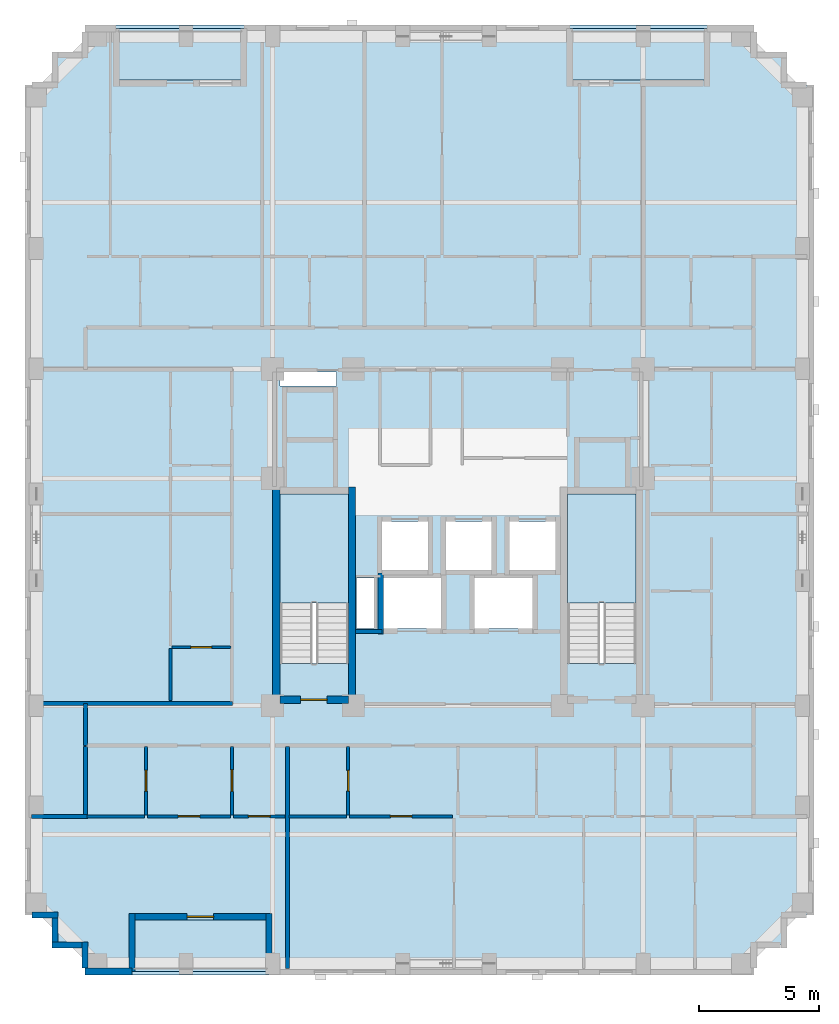
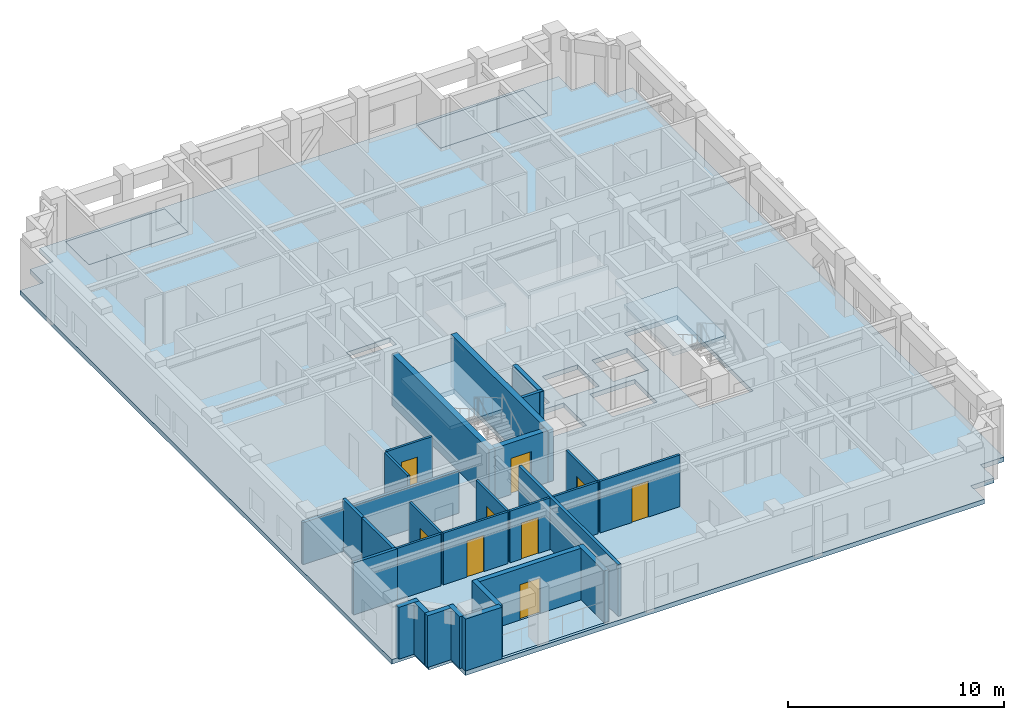
# One storey, part 2 of 11: 28 walls, 9 doors, 6 slabs, 9 openings, 2 elements without a shape of their own.
"""IFC4 building model written with IfcOpenShell, lengths in metres."""

from ifc_helpers import new_model, si_unit, derived_unit, direction, frame, frame_2d, origin, place, context, subcontext, project, spatial, polyline, rectangle, outline, extrude, material, layer, layer_set, type_object, element, fill, aggregate, save


model = new_model("IFC4")

# Units and contexts
model_context = context("Model", 3, precision=1e-05, world=origin(), true_north=direction((0.0, 1.0)))
body_context = subcontext(model_context, "Body", "Model", "MODEL_VIEW")
ifc_project = project(units=[si_unit("LENGTHUNIT", "METRE"), si_unit("AREAUNIT", "SQUARE_METRE"), si_unit("VOLUMEUNIT", "CUBIC_METRE"), si_unit("PLANEANGLEUNIT", "RADIAN"), si_unit("MASSUNIT", "GRAM", prefix="KILO"), derived_unit("THERMALTRANSMITTANCEUNIT", [(si_unit("MASSUNIT", "GRAM", prefix="KILO"), 1), (si_unit("TIMEUNIT", "SECOND"), -3), (si_unit("THERMODYNAMICTEMPERATUREUNIT", "KELVIN"), -1)])], contexts=[model_context])

# Site, building, storey
site_placement = place(None, origin())
site = spatial("IfcSite", under=ifc_project, at=site_placement, CompositionType="ELEMENT")
building_placement = place(site_placement, origin())
building = spatial("IfcBuilding", under=site, at=building_placement, Name="Korrvale Station Residences", CompositionType="ELEMENT")
storey_placement = place(building_placement, frame((0.0, 0.0, 166.64990234375)))
storey = spatial("IfcBuildingStorey", under=building, at=storey_placement, Name="L48", CompositionType="ELEMENT", Elevation=166.64990234375)

# Slabs
ifc_material_1 = material(Name="Concrete C50/60", Category="concrete")
ifc_layer_1 = layer(ifc_material_1, 0.219970703125, Name="Concrete C50/60")
ifc_layer_set_1 = layer_set([ifc_layer_1], Name="Concrete C50/60")
slab_type_1 = type_object("IfcSlabType", Name="SLB-BAL-220", PredefinedType="FLOOR", material=ifc_layer_set_1)
slab_1_placement = place(storey_placement, frame((0.0, 0.0, -0.219970703125)))
element("IfcSlab", 1, at=slab_1_placement, inside=storey, type_object=slab_type_1, Name="L48 Recessed Loggia Balcony Slab BAL-L48-S1", PredefinedType="FLOOR", context=body_context, shape_type="SweptSolid", body=[
    extrude(outline(polyline([(11.949951171875, 3.949951171875), (17.64990234375, 3.949951171875), (17.64990234375, 6.10009765625), (11.949951171875, 6.10009765625), (11.949951171875, 3.949951171875)])), origin(), (0.0, 0.0, 1.0), 0.219970703125),
])
slab_2_placement = place(storey_placement, frame((0.0, 0.0, -0.219970703125)))
element("IfcSlab", 2, at=slab_2_placement, inside=storey, type_object=slab_type_1, Name="L48 Recessed Loggia Balcony Slab BAL-L48-N1", PredefinedType="FLOOR", context=body_context, shape_type="SweptSolid", body=[
    extrude(outline(polyline([(30.14990234375, 41.0), (35.85009765625, 41.0), (35.85009765625, 43.14990234375), (30.14990234375, 43.14990234375), (30.14990234375, 41.0)])), origin(), (0.0, 0.0, 1.0), 0.219970703125),
])
slab_3_placement = place(storey_placement, frame((0.0, 0.0, -0.219970703125)))
element("IfcSlab", 3, at=slab_3_placement, inside=storey, type_object=slab_type_1, Name="L48 Recessed Loggia Balcony Slab BAL-L48-N2", PredefinedType="FLOOR", context=body_context, shape_type="SweptSolid", body=[
    extrude(outline(polyline([(11.300048828125, 41.0), (16.60009765625, 41.0), (16.60009765625, 43.14990234375), (11.300048828125, 43.14990234375), (11.300048828125, 41.0)])), origin(), (0.0, 0.0, 1.0), 0.219970703125),
])
ifc_layer_2 = layer(ifc_material_1, 0.260009765625, Name="Concrete C50/60")
ifc_layer_set_2 = layer_set([ifc_layer_2], Name="Concrete C50/60")
slab_type_2 = type_object("IfcSlabType", Name="SLB-FLR-260", PredefinedType="FLOOR", material=ifc_layer_set_2)
slab_4_placement = place(storey_placement, frame((0.0, 0.0, -0.260009765625)))
element("IfcSlab", 4, at=slab_4_placement, inside=storey, type_object=slab_type_2, Name="L48 Suspended Structural Floor Slab", PredefinedType="FLOOR", context=body_context, shape_type="SweptSolid", body=[
    extrude(outline(polyline([(10.0, 3.800048828125), (37.800048828125, 3.800048828125), (37.800048828125, 5.050048828125), (39.050048828125, 5.050048828125), (39.050048828125, 6.300048828125), (40.300048828125, 6.300048828125), (40.300048828125, 40.800048828125), (39.050048828125, 40.800048828125), (39.050048828125, 42.050048828125), (37.800048828125, 42.050048828125), (37.800048828125, 43.300048828125), (10.0, 43.300048828125), (10.0, 42.050048828125), (8.75, 42.050048828125), (8.75, 40.800048828125), (7.5, 40.800048828125), (7.5, 6.300048828125), (8.75, 6.300048828125), (8.75, 5.050048828125), (10.0, 5.050048828125), (10.0, 3.800048828125)]), holes=[polyline([(20.949951171875, 16.751953125), (20.949951171875, 23.800048828125), (18.10009765625, 23.800048828125), (18.10009765625, 16.751953125), (20.949951171875, 16.751953125)]), polyline([(32.89990234375, 16.751953125), (32.89990234375, 23.800048828125), (30.050048828125, 23.800048828125), (30.050048828125, 16.751953125), (32.89990234375, 16.751953125)]), polyline([(22.35009765625, 20.64990234375), (24.25, 20.64990234375), (24.25, 22.64990234375), (22.35009765625, 22.64990234375), (22.35009765625, 20.64990234375)]), polyline([(25.0, 20.64990234375), (26.89990234375, 20.64990234375), (26.89990234375, 22.64990234375), (25.0, 22.64990234375), (25.0, 20.64990234375)]), polyline([(27.64990234375, 20.64990234375), (29.550048828125, 20.64990234375), (29.550048828125, 22.64990234375), (27.64990234375, 22.64990234375), (27.64990234375, 20.64990234375)]), polyline([(22.39990234375, 18.199951171875), (24.800048828125, 18.199951171875), (24.800048828125, 20.300048828125), (22.39990234375, 20.300048828125), (22.39990234375, 18.199951171875)]), polyline([(26.199951171875, 18.199951171875), (28.60009765625, 18.199951171875), (28.60009765625, 20.300048828125), (26.199951171875, 20.300048828125), (26.199951171875, 18.199951171875)]), polyline([(18.10009765625, 28.280029296875), (20.449951171875, 28.280029296875), (20.449951171875, 28.8798828125), (18.10009765625, 28.8798828125), (18.10009765625, 28.280029296875)]), polyline([(21.280029296875, 18.199951171875), (22.02001953125, 18.199951171875), (22.02001953125, 20.300048828125), (21.280029296875, 20.300048828125), (21.280029296875, 18.199951171875)]), polyline([(11.949951171875, 3.949951171875), (17.64990234375, 3.949951171875), (17.64990234375, 6.10009765625), (11.949951171875, 6.10009765625), (11.949951171875, 3.949951171875)]), polyline([(30.14990234375, 41.0), (35.85009765625, 41.0), (35.85009765625, 43.14990234375), (30.14990234375, 43.14990234375), (30.14990234375, 41.0)]), polyline([(11.300048828125, 41.0), (16.60009765625, 41.0), (16.60009765625, 43.14990234375), (11.300048828125, 43.14990234375), (11.300048828125, 41.0)])]), origin(), (0.0, 0.0, 1.0), 0.260009765625),
])

# Stair, slab
stair_type = type_object("IfcStairType", Name="STR-DL-1350-20R-1625", PredefinedType="HALF_TURN_STAIR", material=ifc_material_1)
stair_1_placement = place(storey_placement, origin())
stair_1 = element("IfcStair", 5, at=stair_1_placement, inside=storey, type_object=stair_type, Name="L48 Exit Stair 1", PredefinedType="HALF_TURN_STAIR")
ifc_layer_3 = layer(ifc_material_1, 0.199951171875, Name="Concrete C50/60")
ifc_layer_set_3 = layer_set([ifc_layer_3], Name="Concrete C50/60")
slab_type_3 = type_object("IfcSlabType", Name="SLB-LND-200", PredefinedType="LANDING", material=ifc_layer_set_3)
slab_5_placement = place(storey_placement, frame((0.0, 0.0, 1.425048828125)))
slab_5 = element("IfcSlab", 6, at=slab_5_placement, type_object=slab_type_3, Name="ST-1 landing 1", PredefinedType="LANDING", context=body_context, shape_type="SweptSolid", body=[
    extrude(outline(polyline([(20.949951171875, 19.27001953125), (20.949951171875, 23.800048828125), (18.10009765625, 23.800048828125), (18.10009765625, 19.27001953125), (20.949951171875, 19.27001953125)])), origin(), (0.0, 0.0, 1.0), 0.199951171875),
])
aggregate(stair_1, [slab_5])

stair_2_placement = place(storey_placement, origin())
stair_2 = element("IfcStair", 7, at=stair_2_placement, inside=storey, type_object=stair_type, Name="L48 Exit Stair 2", PredefinedType="HALF_TURN_STAIR")
slab_6_placement = place(storey_placement, frame((0.0, 0.0, 1.425048828125)))
slab_6 = element("IfcSlab", 8, at=slab_6_placement, type_object=slab_type_3, Name="ST-2 landing 1", PredefinedType="LANDING", context=body_context, shape_type="SweptSolid", body=[
    extrude(outline(polyline([(32.89990234375, 19.27001953125), (32.89990234375, 23.800048828125), (30.050048828125, 23.800048828125), (30.050048828125, 19.27001953125), (32.89990234375, 19.27001953125)])), origin(), (0.0, 0.0, 1.0), 0.199951171875),
])
aggregate(stair_2, [slab_6])

# Walls
ifc_material_2 = material(Name="Concrete C60/75", Category="concrete")
ifc_layer_4 = layer(ifc_material_2, 0.300048828125, Name="Concrete C60/75")
ifc_layer_set_4 = layer_set([ifc_layer_4], Name="Concrete C60/75")
wall_type_1 = type_object("IfcWallType", Name="WAL-CORE-300-C60", PredefinedType="SHEAR", material=ifc_layer_set_4)
for number, where, z_axis, x_axis, name in (
    (9, (17.949951171875, 15.10009765625, 0.0), (0.0, 0.0, 1.0), (0.0, 1.0, 0.0), "L48 ST-1 Core Shear Wall West"),
    (10, (21.10009765625, 15.10009765625, 0.0), (0.0, 0.0, 1.0), (0.0, 1.0, 0.0), "L48 ST-1 Core Shear Wall East"),
):
    element("IfcWall", number, at=place(storey_placement, frame(where, z_axis=z_axis, x_axis=x_axis)), inside=storey, type_object=wall_type_1, Name=name, PredefinedType="SHEAR", context=body_context, shape_type="SweptSolid", body=[
        extrude(rectangle(XDim=9.0, YDim=0.300048828125, at=frame_2d((4.5, 0.0))), origin(), (0.0, 0.0, 1.0), 2.93017578125),
    ])

# Wall, opening, door
wall_1_placement = place(storey_placement, frame((18.10009765625, 15.25, 0.0), z_axis=(0.0, 0.0, 1.0), x_axis=(1.0, 0.0, 0.0)))
wall_1 = element("IfcWall", 11, at=wall_1_placement, inside=storey, type_object=wall_type_1, Name="L48 ST-1 Core Shear Wall South", PredefinedType="SHEAR", context=body_context, shape_type="SweptSolid", body=[
    extrude(rectangle(XDim=2.849853515625, YDim=0.300048828125, at=frame_2d((1.4248046875, 0.0))), origin(), (0.0, 0.0, 1.0), 2.93017578125),
])
opening_1_placement = place(wall_1_placement, frame((0.860107421875, 0.0, 0.0)))
opening_1 = element("IfcOpeningElement", 12, at=opening_1_placement, cuts=wall_1, Name="Opening SD-1100", PredefinedType="OPENING", context=body_context, shape_type="SweptSolid", body=[
    extrude(rectangle(XDim=1.10009765625, YDim=2.050048828125, at=frame_2d((0.550048828125, 1.02490234375))), frame((0.0, 0.16015625, 0.0), z_axis=(0.0, -1.0, 0.0), x_axis=(1.0, 0.0, 0.0)), (0.0, 0.0, 1.0), 0.320068359375),
])
ifc_material_3 = material(Name="Hollow-metal fire-rated stair door with closer", Category="steel")
door_type_1 = type_object("IfcDoorType", Name="DR-STAIR-1100", OperationType="NOTDEFINED", PredefinedType="DOOR", material=ifc_material_3)
door_1_placement = place(opening_1_placement, origin())
door_1 = element("IfcDoor", 13, at=door_1_placement, inside=storey, type_object=door_type_1, Name="L48 ST-1 Exit Stair Door", OperationType="SINGLE_SWING_LEFT", OverallHeight=2.050048828125, OverallWidth=1.10009765625, PredefinedType="DOOR", context=body_context, shape_type="SweptSolid", body=[
    extrude(rectangle(XDim=1.10009765625, YDim=2.050048828125, at=frame_2d((0.550048828125, 1.02490234375))), frame((0.0, 0.02490234375, 0.0), z_axis=(0.0, -1.0, 0.0), x_axis=(1.0, 0.0, 0.0)), (0.0, 0.0, 1.0), 0.050048828125),
])
fill(opening_1, door_1)

# Wall
ifc_material_4 = material(Name="Precast concrete C45/55", Category="concrete")
ifc_layer_5 = layer(ifc_material_4, 0.260009765625, Name="Precast concrete C45/55")
ifc_layer_set_5 = layer_set([ifc_layer_5], Name="Precast concrete C45/55")
wall_type_2 = type_object("IfcWallType", Name="WAL-EXT-LOG260", PredefinedType="SOLIDWALL", material=ifc_layer_set_5)
wall_2_placement = place(storey_placement, frame((17.64990234375, 3.9599609375, 0.0), z_axis=(0.0, 0.0, 1.0), x_axis=(0.0, 1.0, 0.0)))
element("IfcWall", 14, at=wall_2_placement, inside=storey, type_object=wall_type_2, Name="L48 Recessed Loggia Wall BAL-L48-S1-L", PredefinedType="SOLIDWALL", context=body_context, shape_type="SweptSolid", body=[
    extrude(rectangle(XDim=2.400146484375, YDim=0.260009765625, at=frame_2d((1.2001953125, 0.0))), origin(), (0.0, 0.0, 1.0), 2.93017578125),
])

# Wall, opening, door
wall_3_placement = place(storey_placement, frame((17.51611328125, 6.22998046875, 0.0), z_axis=(0.0, 0.0, 1.0), x_axis=(-1.0, 0.0, 0.0)))
wall_3 = element("IfcWall", 15, at=wall_3_placement, inside=storey, type_object=wall_type_2, Name="L48 Recessed Loggia Wall BAL-L48-S1-B", PredefinedType="SOLIDWALL", context=body_context, shape_type="SweptSolid", body=[
    extrude(rectangle(XDim=5.43212890625, YDim=0.260009765625, at=frame_2d((2.716064453125, 0.0))), origin(), (0.0, 0.0, 1.0), 2.93017578125),
])
opening_2_placement = place(wall_3_placement, frame((2.166015625, 0.0, 0.0)))
opening_2 = element("IfcOpeningElement", 16, at=opening_2_placement, cuts=wall_3, Name="Opening BD-01", PredefinedType="OPENING", context=body_context, shape_type="SweptSolid", body=[
    extrude(rectangle(XDim=1.10009765625, YDim=2.0, at=frame_2d((0.550048828125, 1.0))), frame((0.0, 0.14013671875, 0.0), z_axis=(0.0, -1.0, 0.0), x_axis=(1.0, 0.0, 0.0)), (0.0, 0.0, 1.0), 0.280029296875),
])
ifc_material_5 = material(Name="Exterior thermally broken aluminium glazed balcony door", Category="aluminium")
door_type_2 = type_object("IfcDoorType", Name="DR-EXT-BAL", OperationType="NOTDEFINED", PredefinedType="DOOR", material=ifc_material_5)
door_2_placement = place(opening_2_placement, origin())
door_2 = element("IfcDoor", 17, at=door_2_placement, inside=storey, type_object=door_type_2, Name="L48 Loggia Balcony Door BAL-L48-S1", OperationType="SINGLE_SWING_LEFT", OverallHeight=2.0, OverallWidth=1.10009765625, PredefinedType="DOOR", context=body_context, shape_type="SweptSolid", body=[
    extrude(rectangle(XDim=1.10009765625, YDim=2.0, at=frame_2d((0.550048828125, 1.0))), frame((0.0, 0.02490234375, 0.0), z_axis=(0.0, -1.0, 0.0), x_axis=(1.0, 0.0, 0.0)), (0.0, 0.0, 1.0), 0.050048828125),
])
fill(opening_2, door_2)

# Walls
wall_4_placement = place(storey_placement, frame((11.949951171875, 6.360107421875, 0.0), z_axis=(0.0, 0.0, 1.0), x_axis=(0.0, -1.0, 0.0)))
element("IfcWall", 18, at=wall_4_placement, inside=storey, type_object=wall_type_2, Name="L48 Recessed Loggia Wall BAL-L48-S1-R", PredefinedType="SOLIDWALL", context=body_context, shape_type="SweptSolid", body=[
    extrude(rectangle(XDim=2.400146484375, YDim=0.260009765625, at=frame_2d((1.2001953125, 0.0))), origin(), (0.0, 0.0, 1.0), 2.93017578125),
])
wall_5_placement = place(storey_placement, frame((10.0, 4.10205078125, 0.0), z_axis=(0.0, 0.0, 1.0), x_axis=(0.0, 1.0, 0.0)))
element("IfcWall", 19, at=wall_5_placement, inside=storey, type_object=wall_type_2, Name="L48 Serrated Corner Precast Step SW-1", PredefinedType="SOLIDWALL", context=body_context, shape_type="SweptSolid", body=[
    extrude(rectangle(XDim=1.077880859375, YDim=0.260009765625, at=frame_2d((0.5390625, 0.0))), origin(), (0.0, 0.0, 1.0), 2.93017578125),
])
wall_6_placement = place(storey_placement, frame((9.867919921875, 5.050048828125, 0.0), z_axis=(0.0, 0.0, 1.0), x_axis=(-1.0, 0.0, 0.0)))
element("IfcWall", 20, at=wall_6_placement, inside=storey, type_object=wall_type_2, Name="L48 Serrated Corner Precast Step SW-2", PredefinedType="SOLIDWALL", context=body_context, shape_type="SweptSolid", body=[
    extrude(rectangle(XDim=1.247802734375, YDim=0.260009765625, at=frame_2d((0.6240234375, 0.0))), origin(), (0.0, 0.0, 1.0), 2.93017578125),
])
wall_7_placement = place(storey_placement, frame((8.75, 5.181884765625, 0.0), z_axis=(0.0, 0.0, 1.0), x_axis=(0.0, 1.0, 0.0)))
element("IfcWall", 21, at=wall_7_placement, inside=storey, type_object=wall_type_2, Name="L48 Serrated Corner Precast Step SW-3", PredefinedType="SOLIDWALL", context=body_context, shape_type="SweptSolid", body=[
    extrude(rectangle(XDim=0.986083984375, YDim=0.260009765625, at=frame_2d((0.4931640625, 0.0))), origin(), (0.0, 0.0, 1.0), 2.93017578125),
])
wall_8_placement = place(storey_placement, frame((8.8798828125, 6.300048828125, 0.0), z_axis=(0.0, 0.0, 1.0), x_axis=(-1.0, 0.0, 0.0)))
element("IfcWall", 22, at=wall_8_placement, inside=storey, type_object=wall_type_2, Name="L48 Serrated Corner Precast Step SW-4", PredefinedType="SOLIDWALL", context=body_context, shape_type="SweptSolid", body=[
    extrude(rectangle(XDim=1.077880859375, YDim=0.260009765625, at=frame_2d((0.5390625, 0.0))), origin(), (0.0, 0.0, 1.0), 2.93017578125),
])
ifc_layer_6 = layer(ifc_material_4, 0.300048828125, Name="Precast concrete C45/55")
ifc_layer_set_6 = layer_set([ifc_layer_6], Name="Precast concrete C45/55")
wall_type_3 = type_object("IfcWallType", Name="WAL-EXT-PC300", PredefinedType="SOLIDWALL", material=ifc_layer_set_6)
wall_9_placement = place(storey_placement, frame((11.949951171875, 3.949951171875, 0.0), z_axis=(0.0, 0.0, 1.0), x_axis=(-1.0, 0.0, 0.0)))
element("IfcWall", 23, at=wall_9_placement, inside=storey, type_object=wall_type_3, Name="L48 South Exterior Precast Wall 2", PredefinedType="SOLIDWALL", context=body_context, shape_type="SweptSolid", body=[
    extrude(rectangle(XDim=1.949951171875, YDim=0.300048828125, at=frame_2d((0.97509765625, 0.0))), origin(), (0.0, 0.0, 1.0), 2.93017578125),
])

# Wall, opening, door
ifc_material_6 = material(Name="Acoustic steel-stud gypsum board partition", Category="steel")
ifc_layer_7 = layer(ifc_material_6, 0.1201171875, Name="Acoustic steel-stud gypsum board partition")
ifc_layer_set_7 = layer_set([ifc_layer_7], Name="Acoustic steel-stud gypsum board partition")
wall_type_4 = type_object("IfcWallType", Name="WAL-PART-125", PredefinedType="PARTITIONING", material=ifc_layer_set_7)
wall_10_placement = place(storey_placement, frame((12.5400390625, 10.4599609375, 0.0), z_axis=(0.0, 0.0, 1.0), x_axis=(0.0, 1.0, 0.0)))
wall_10 = element("IfcWall", 24, at=wall_10_placement, inside=storey, type_object=wall_type_4, Name="L48 Suite Partition U01-V01", PredefinedType="PARTITIONING", context=body_context, shape_type="SweptSolid", body=[
    extrude(rectangle(XDim=2.85009765625, YDim=0.1201171875, at=frame_2d((1.425048828125, 0.0))), origin(), (0.0, 0.0, 1.0), 2.93017578125),
])
opening_3_placement = place(wall_10_placement, frame((0.9951171875, 0.0, 0.0)))
opening_3 = element("IfcOpeningElement", 25, at=opening_3_placement, cuts=wall_10, Name="Opening DB-860", PredefinedType="OPENING", context=body_context, shape_type="SweptSolid", body=[
    extrude(rectangle(XDim=0.860107421875, YDim=2.050048828125, at=frame_2d((0.43017578125, 1.02490234375))), frame((0.0, 0.070068359375, 0.0), z_axis=(0.0, -1.0, 0.0), x_axis=(1.0, 0.0, 0.0)), (0.0, 0.0, 1.0), 0.14013671875),
])
ifc_material_7 = material(Name="Moisture-resistant solid-core bathroom door", Category="timber")
door_type_3 = type_object("IfcDoorType", Name="DR-BATH-860", OperationType="NOTDEFINED", PredefinedType="DOOR", material=ifc_material_7)
door_3_placement = place(opening_3_placement, origin())
door_3 = element("IfcDoor", 26, at=door_3_placement, inside=storey, type_object=door_type_3, Name="L48 Studio Apartment L48-U01 Bathroom Door", OperationType="SINGLE_SWING_RIGHT", OverallHeight=2.050048828125, OverallWidth=0.860107421875, PredefinedType="DOOR", context=body_context, shape_type="SweptSolid", body=[
    extrude(rectangle(XDim=0.860107421875, YDim=2.050048828125, at=frame_2d((0.43017578125, 1.02490234375))), frame((0.0, 0.02490234375, 0.0), z_axis=(0.0, -1.0, 0.0), x_axis=(1.0, 0.0, 0.0)), (0.0, 0.0, 1.0), 0.050048828125),
])
fill(opening_3, door_3)

# Wall
wall_11_placement = place(storey_placement, frame((10.080078125, 10.39990234375, 0.0), z_axis=(0.0, 0.0, 1.0), x_axis=(1.0, 0.0, 0.0)))
element("IfcWall", 27, at=wall_11_placement, inside=storey, type_object=wall_type_4, Name="L48 Suite Partition U01-H03", PredefinedType="PARTITIONING", context=body_context, shape_type="SweptSolid", body=[
    extrude(rectangle(XDim=2.39990234375, YDim=0.1201171875, at=frame_2d((1.199951171875, 0.0))), origin(), (0.0, 0.0, 1.0), 2.93017578125),
])

# Wall, opening, door
wall_12_placement = place(storey_placement, frame((16.110107421875, 10.4599609375, 0.0), z_axis=(0.0, 0.0, 1.0), x_axis=(0.0, 1.0, 0.0)))
wall_12 = element("IfcWall", 28, at=wall_12_placement, inside=storey, type_object=wall_type_4, Name="L48 Suite Partition U01-V12", PredefinedType="PARTITIONING", context=body_context, shape_type="SweptSolid", body=[
    extrude(rectangle(XDim=2.85009765625, YDim=0.1201171875, at=frame_2d((1.425048828125, 0.0))), origin(), (0.0, 0.0, 1.0), 2.93017578125),
])
opening_4_placement = place(wall_12_placement, frame((0.97509765625, 0.0, 0.0)))
opening_4 = element("IfcOpeningElement", 29, at=opening_4_placement, cuts=wall_12, Name="Opening DI-900", PredefinedType="OPENING", context=body_context, shape_type="SweptSolid", body=[
    extrude(rectangle(XDim=0.89990234375, YDim=2.050048828125, at=frame_2d((0.449951171875, 1.02490234375))), frame((0.0, 0.070068359375, 0.0), z_axis=(0.0, -1.0, 0.0), x_axis=(1.0, 0.0, 0.0)), (0.0, 0.0, 1.0), 0.14013671875),
])
ifc_material_8 = material(Name="Painted solid-core timber interior room door", Category="wood")
door_type_4 = type_object("IfcDoorType", Name="DR-INT-900", OperationType="NOTDEFINED", PredefinedType="DOOR", material=ifc_material_8)
door_4_placement = place(opening_4_placement, origin())
door_4 = element("IfcDoor", 30, at=door_4_placement, inside=storey, type_object=door_type_4, Name="L48 Studio Apartment L48-U01 Kitchen Door", OperationType="SINGLE_SWING_LEFT", OverallHeight=2.050048828125, OverallWidth=0.89990234375, PredefinedType="DOOR", context=body_context, shape_type="SweptSolid", body=[
    extrude(rectangle(XDim=0.89990234375, YDim=2.050048828125, at=frame_2d((0.449951171875, 1.02490234375))), frame((0.0, 0.02490234375, 0.0), z_axis=(0.0, -1.0, 0.0), x_axis=(1.0, 0.0, 0.0)), (0.0, 0.0, 1.0), 0.050048828125),
])
fill(opening_4, door_4)

wall_13_placement = place(storey_placement, frame((12.60009765625, 10.39990234375, 0.0), z_axis=(0.0, 0.0, 1.0), x_axis=(1.0, 0.0, 0.0)))
wall_13 = element("IfcWall", 31, at=wall_13_placement, inside=storey, type_object=wall_type_4, Name="L48 Suite Partition U01-H13", PredefinedType="PARTITIONING", context=body_context, shape_type="SweptSolid", body=[
    extrude(rectangle(XDim=3.449951171875, YDim=0.1201171875, at=frame_2d((1.72509765625, 0.0))), origin(), (0.0, 0.0, 1.0), 2.93017578125),
])
opening_5_placement = place(wall_13_placement, frame((1.27490234375, 0.0, 0.0)))
opening_5 = element("IfcOpeningElement", 32, at=opening_5_placement, cuts=wall_13, Name="Opening DI-900", PredefinedType="OPENING", context=body_context, shape_type="SweptSolid", body=[
    extrude(rectangle(XDim=0.89990234375, YDim=2.050048828125, at=frame_2d((0.449951171875, 1.02490234375))), frame((0.0, 0.070068359375, 0.0), z_axis=(0.0, -1.0, 0.0), x_axis=(1.0, 0.0, 0.0)), (0.0, 0.0, 1.0), 0.14013671875),
])
door_5_placement = place(opening_5_placement, origin())
door_5 = element("IfcDoor", 33, at=door_5_placement, inside=storey, type_object=door_type_4, Name="L48 Studio Apartment L48-U01 Kitchen Door", OperationType="SINGLE_SWING_RIGHT", OverallHeight=2.050048828125, OverallWidth=0.89990234375, PredefinedType="DOOR", context=body_context, shape_type="SweptSolid", body=[
    extrude(rectangle(XDim=0.89990234375, YDim=2.050048828125, at=frame_2d((0.449951171875, 1.02490234375))), frame((0.0, 0.02490234375, 0.0), z_axis=(0.0, -1.0, 0.0), x_axis=(1.0, 0.0, 0.0)), (0.0, 0.0, 1.0), 0.050048828125),
])
fill(opening_5, door_5)

wall_14_placement = place(storey_placement, frame((16.169921875, 10.39990234375, 0.0), z_axis=(0.0, 0.0, 1.0), x_axis=(1.0, 0.0, 0.0)))
wall_14 = element("IfcWall", 34, at=wall_14_placement, inside=storey, type_object=wall_type_4, Name="L48 Suite Partition U01-H23", PredefinedType="PARTITIONING", context=body_context, shape_type="SweptSolid", body=[
    extrude(rectangle(XDim=2.150146484375, YDim=0.1201171875, at=frame_2d((1.0751953125, 0.0))), origin(), (0.0, 0.0, 1.0), 2.93017578125),
])
opening_6_placement = place(wall_14_placement, frame((0.625, 0.0, 0.0)))
opening_6 = element("IfcOpeningElement", 35, at=opening_6_placement, cuts=wall_14, Name="Opening DI-900", PredefinedType="OPENING", context=body_context, shape_type="SweptSolid", body=[
    extrude(rectangle(XDim=0.89990234375, YDim=2.050048828125, at=frame_2d((0.449951171875, 1.02490234375))), frame((0.0, 0.070068359375, 0.0), z_axis=(0.0, -1.0, 0.0), x_axis=(1.0, 0.0, 0.0)), (0.0, 0.0, 1.0), 0.14013671875),
])
door_6_placement = place(opening_6_placement, origin())
door_6 = element("IfcDoor", 36, at=door_6_placement, inside=storey, type_object=door_type_4, Name="L48 Studio Apartment L48-U01 Utility and Laundry Room Door", OperationType="SINGLE_SWING_LEFT", OverallHeight=2.050048828125, OverallWidth=0.89990234375, PredefinedType="DOOR", context=body_context, shape_type="SweptSolid", body=[
    extrude(rectangle(XDim=0.89990234375, YDim=2.050048828125, at=frame_2d((0.449951171875, 1.02490234375))), frame((0.0, 0.02490234375, 0.0), z_axis=(0.0, -1.0, 0.0), x_axis=(1.0, 0.0, 0.0)), (0.0, 0.0, 1.0), 0.050048828125),
])
fill(opening_6, door_6)

wall_15_placement = place(storey_placement, frame((20.93994140625, 10.4599609375, 0.0), z_axis=(0.0, 0.0, 1.0), x_axis=(0.0, 1.0, 0.0)))
wall_15 = element("IfcWall", 37, at=wall_15_placement, inside=storey, type_object=wall_type_4, Name="L48 Suite Partition U02-V01", PredefinedType="PARTITIONING", context=body_context, shape_type="SweptSolid", body=[
    extrude(rectangle(XDim=2.85009765625, YDim=0.1201171875, at=frame_2d((1.425048828125, 0.0))), origin(), (0.0, 0.0, 1.0), 2.93017578125),
])
opening_7_placement = place(wall_15_placement, frame((0.9951171875, 0.0, 0.0)))
opening_7 = element("IfcOpeningElement", 38, at=opening_7_placement, cuts=wall_15, Name="Opening DB-860", PredefinedType="OPENING", context=body_context, shape_type="SweptSolid", body=[
    extrude(rectangle(XDim=0.860107421875, YDim=2.050048828125, at=frame_2d((0.43017578125, 1.02490234375))), frame((0.0, 0.070068359375, 0.0), z_axis=(0.0, -1.0, 0.0), x_axis=(1.0, 0.0, 0.0)), (0.0, 0.0, 1.0), 0.14013671875),
])
door_7_placement = place(opening_7_placement, origin())
door_7 = element("IfcDoor", 39, at=door_7_placement, inside=storey, type_object=door_type_3, Name="L48 Apartment 2BR L48-U02 Bathroom Door", OperationType="SINGLE_SWING_RIGHT", OverallHeight=2.050048828125, OverallWidth=0.860107421875, PredefinedType="DOOR", context=body_context, shape_type="SweptSolid", body=[
    extrude(rectangle(XDim=0.860107421875, YDim=2.050048828125, at=frame_2d((0.43017578125, 1.02490234375))), frame((0.0, 0.02490234375, 0.0), z_axis=(0.0, -1.0, 0.0), x_axis=(1.0, 0.0, 0.0)), (0.0, 0.0, 1.0), 0.050048828125),
])
fill(opening_7, door_7)

# Wall
wall_16_placement = place(storey_placement, frame((18.47998046875, 10.39990234375, 0.0), z_axis=(0.0, 0.0, 1.0), x_axis=(1.0, 0.0, 0.0)))
element("IfcWall", 40, at=wall_16_placement, inside=storey, type_object=wall_type_4, Name="L48 Suite Partition U02-H06", PredefinedType="PARTITIONING", context=body_context, shape_type="SweptSolid", body=[
    extrude(rectangle(XDim=2.39990234375, YDim=0.1201171875, at=frame_2d((1.199951171875, 0.0))), origin(), (0.0, 0.0, 1.0), 2.93017578125),
])

# Wall, opening, door
wall_17_placement = place(storey_placement, frame((21.0, 10.39990234375, 0.0), z_axis=(0.0, 0.0, 1.0), x_axis=(1.0, 0.0, 0.0)))
wall_17 = element("IfcWall", 41, at=wall_17_placement, inside=storey, type_object=wall_type_4, Name="L48 Suite Partition U02-H16", PredefinedType="PARTITIONING", context=body_context, shape_type="SweptSolid", body=[
    extrude(rectangle(XDim=4.280029296875, YDim=0.1201171875, at=frame_2d((2.14013671875, 0.0))), origin(), (0.0, 0.0, 1.0), 2.93017578125),
])
opening_8_placement = place(wall_17_placement, frame((1.68994140625, 0.0, 0.0)))
opening_8 = element("IfcOpeningElement", 42, at=opening_8_placement, cuts=wall_17, Name="Opening DI-900", PredefinedType="OPENING", context=body_context, shape_type="SweptSolid", body=[
    extrude(rectangle(XDim=0.89990234375, YDim=2.050048828125, at=frame_2d((0.449951171875, 1.02490234375))), frame((0.0, 0.070068359375, 0.0), z_axis=(0.0, -1.0, 0.0), x_axis=(1.0, 0.0, 0.0)), (0.0, 0.0, 1.0), 0.14013671875),
])
door_8_placement = place(opening_8_placement, origin())
door_8 = element("IfcDoor", 43, at=door_8_placement, inside=storey, type_object=door_type_4, Name="L48 Apartment 2BR L48-U02 Kitchen Door", OperationType="SINGLE_SWING_RIGHT", OverallHeight=2.050048828125, OverallWidth=0.89990234375, PredefinedType="DOOR", context=body_context, shape_type="SweptSolid", body=[
    extrude(rectangle(XDim=0.89990234375, YDim=2.050048828125, at=frame_2d((0.449951171875, 1.02490234375))), frame((0.0, 0.02490234375, 0.0), z_axis=(0.0, -1.0, 0.0), x_axis=(1.0, 0.0, 0.0)), (0.0, 0.0, 1.0), 0.050048828125),
])
fill(opening_8, door_8)

wall_18_placement = place(storey_placement, frame((13.610107421875, 17.428955078125, 0.0), z_axis=(0.0, 0.0, 1.0), x_axis=(1.0, 0.0, 0.0)))
wall_18 = element("IfcWall", 44, at=wall_18_placement, inside=storey, type_object=wall_type_4, Name="L48 Suite Partition U07-H01", PredefinedType="PARTITIONING", context=body_context, shape_type="SweptSolid", body=[
    extrude(rectangle(XDim=2.449951171875, YDim=0.1201171875, at=frame_2d((1.22509765625, 0.0))), origin(), (0.0, 0.0, 1.0), 2.93017578125),
])
opening_9_placement = place(wall_18_placement, frame((0.794921875, 0.0, 0.0)))
opening_9 = element("IfcOpeningElement", 45, at=opening_9_placement, cuts=wall_18, Name="Opening DB-860", PredefinedType="OPENING", context=body_context, shape_type="SweptSolid", body=[
    extrude(rectangle(XDim=0.860107421875, YDim=2.050048828125, at=frame_2d((0.43017578125, 1.02490234375))), frame((0.0, 0.070068359375, 0.0), z_axis=(0.0, -1.0, 0.0), x_axis=(1.0, 0.0, 0.0)), (0.0, 0.0, 1.0), 0.14013671875),
])
door_9_placement = place(opening_9_placement, origin())
door_9 = element("IfcDoor", 46, at=door_9_placement, inside=storey, type_object=door_type_3, Name="L48 Apartment 1BR L48-U07 Bathroom Door", OperationType="SINGLE_SWING_LEFT", OverallHeight=2.050048828125, OverallWidth=0.860107421875, PredefinedType="DOOR", context=body_context, shape_type="SweptSolid", body=[
    extrude(rectangle(XDim=0.860107421875, YDim=2.050048828125, at=frame_2d((0.43017578125, 1.02490234375))), frame((0.0, 0.02490234375, 0.0), z_axis=(0.0, -1.0, 0.0), x_axis=(1.0, 0.0, 0.0)), (0.0, 0.0, 1.0), 0.050048828125),
])
fill(opening_9, door_9)

# Walls
wall_19_placement = place(storey_placement, frame((13.550048828125, 15.2099609375, 0.0), z_axis=(0.0, 0.0, 1.0), x_axis=(0.0, 1.0, 0.0)))
element("IfcWall", 47, at=wall_19_placement, inside=storey, type_object=wall_type_4, Name="L48 Suite Partition U07-V02", PredefinedType="PARTITIONING", context=body_context, shape_type="SweptSolid", body=[
    extrude(rectangle(XDim=2.158935546875, YDim=0.1201171875, at=frame_2d((1.07958984375, 0.0))), origin(), (0.0, 0.0, 1.0), 2.93017578125),
])
ifc_material_9 = material(Name="Fire-rated twin-stud gypsum and mineral wool shaftwall assembly", Category="gypsum")
ifc_layer_8 = layer(ifc_material_9, 0.159912109375, Name="Fire-rated twin-stud gypsum and mineral wool shaftwall assembly")
ifc_layer_set_8 = layer_set([ifc_layer_8], Name="Fire-rated twin-stud gypsum and mineral wool shaftwall assembly")
wall_type_5 = type_object("IfcWallType", Name="WAL-PART-200", PredefinedType="PARTITIONING", material=ifc_layer_set_8)
wall_20_placement = place(storey_placement, frame((21.25, 18.080078125, 0.0), z_axis=(0.0, 0.0, 1.0), x_axis=(1.0, 0.0, 0.0)))
element("IfcWall", 48, at=wall_20_placement, inside=storey, type_object=wall_type_5, Name="L48 Core Partition CW-FFL-N1", PredefinedType="PARTITIONING", context=body_context, shape_type="SweptSolid", body=[
    extrude(rectangle(XDim=1.10009765625, YDim=0.159912109375, at=frame_2d((0.550048828125, 0.0))), origin(), (0.0, 0.0, 1.0), 2.93017578125),
])
wall_21_placement = place(storey_placement, frame((10.02001953125, 13.35009765625, 0.0), z_axis=(0.0, 0.0, 1.0), x_axis=(0.0, 1.0, 0.0)))
element("IfcWall", 49, at=wall_21_placement, inside=storey, type_object=wall_type_5, Name="L48 Corridor South West Cap", PredefinedType="PARTITIONING", context=body_context, shape_type="SweptSolid", body=[
    extrude(rectangle(XDim=1.739990234375, YDim=0.159912109375, at=frame_2d((0.8701171875, 0.0))), origin(), (0.0, 0.0, 1.0), 2.93017578125),
])
wall_22_placement = place(storey_placement, frame((7.780029296875, 15.090087890625, 0.0), z_axis=(0.0, 0.0, 1.0), x_axis=(1.0, 0.0, 0.0)))
element("IfcWall", 50, at=wall_22_placement, inside=storey, type_object=wall_type_5, Name="L48 West Wing South Corridor Wall", PredefinedType="PARTITIONING", context=body_context, shape_type="SweptSolid", body=[
    extrude(rectangle(XDim=8.35986328125, YDim=0.159912109375, at=frame_2d((4.179931640625, 0.0))), origin(), (0.0, 0.0, 1.0), 2.382080078125),
])
wall_23_placement = place(storey_placement, frame((7.780029296875, 10.39990234375, 0.0), z_axis=(0.0, 0.0, 1.0), x_axis=(1.0, 0.0, 0.0)))
element("IfcWall", 51, at=wall_23_placement, inside=storey, type_object=wall_type_5, Name="L48 Corner Step Wall U01-L", PredefinedType="PARTITIONING", context=body_context, shape_type="SweptSolid", body=[
    extrude(rectangle(XDim=2.340087890625, YDim=0.159912109375, at=frame_2d((1.169921875, 0.0))), origin(), (0.0, 0.0, 1.0), 2.93017578125),
])
wall_24_placement = place(storey_placement, frame((10.02001953125, 10.39990234375, 0.0), z_axis=(0.0, 0.0, 1.0), x_axis=(0.0, 1.0, 0.0)))
element("IfcWall", 52, at=wall_24_placement, inside=storey, type_object=wall_type_5, Name="L48 Corner Step Cheek U01-L", PredefinedType="PARTITIONING", context=body_context, shape_type="SweptSolid", body=[
    extrude(rectangle(XDim=2.91015625, YDim=0.159912109375, at=frame_2d((1.455078125, 0.0))), origin(), (0.0, 0.0, 1.0), 2.93017578125),
])
wall_25_placement = place(storey_placement, frame((18.419921875, 4.080078125, 0.0), z_axis=(0.0, 0.0, 1.0), x_axis=(0.0, 1.0, 0.0)))
element("IfcWall", 53, at=wall_25_placement, inside=storey, type_object=wall_type_5, Name="L48 Demising Wall U02-W", PredefinedType="PARTITIONING", context=body_context, shape_type="SweptSolid", body=[
    extrude(rectangle(XDim=9.22998046875, YDim=0.159912109375, at=frame_2d((4.614990234375, 0.0))), origin(), (0.0, 0.0, 1.0), 2.93017578125),
])
ifc_layer_9 = layer(ifc_material_2, 0.219970703125, Name="Concrete C60/75")
ifc_layer_set_9 = layer_set([ifc_layer_9], Name="Concrete C60/75")
wall_type_6 = type_object("IfcWallType", Name="WAL-SHAFT-220-C60", PredefinedType="SHEAR", material=ifc_layer_set_9)
wall_26_placement = place(storey_placement, frame((22.2900390625, 17.97998046875, 0.0), z_axis=(0.0, 0.0, 1.0), x_axis=(0.0, 1.0, 0.0)))
element("IfcWall", 54, at=wall_26_placement, inside=storey, type_object=wall_type_6, Name="L48 Elevator FFL-1 Hoistway Wall West", PredefinedType="SHEAR", context=body_context, shape_type="SweptSolid", body=[
    extrude(rectangle(XDim=2.5400390625, YDim=0.219970703125, at=frame_2d((1.27001953125, 0.0))), origin(), (0.0, 0.0, 1.0), 2.93017578125),
])

save(model, "model.ifc")
